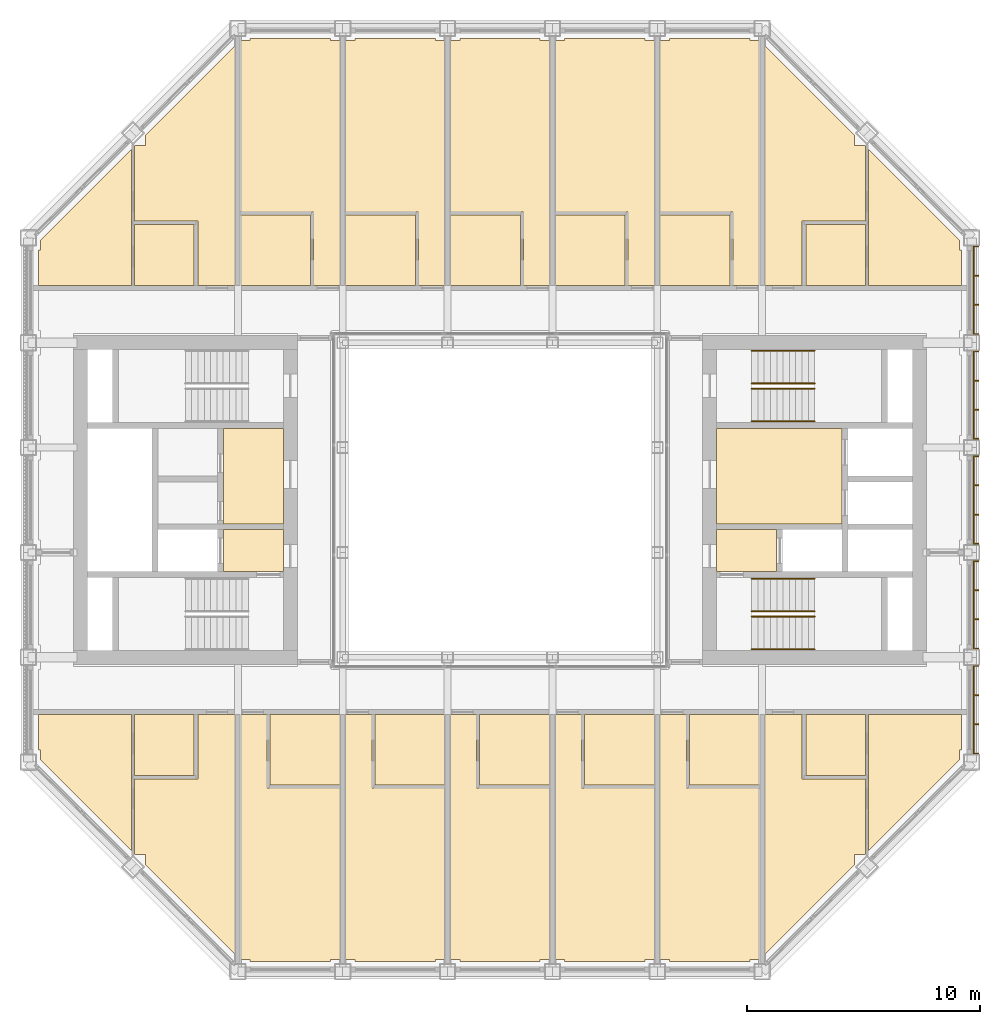
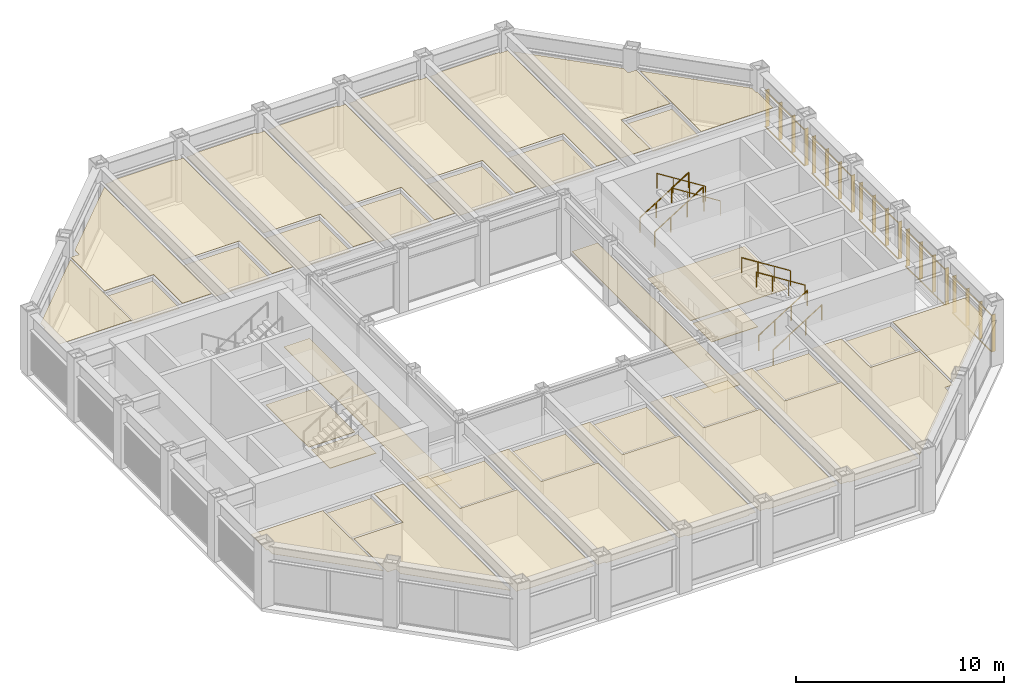
# One storey, part 17 of 18: 8 railings, 3 coverings, 1 shading device.
"""IFC4 building model written with IfcOpenShell, lengths in metres."""

from ifc_helpers import new_model, si_unit, direction, frame, origin, origin_2d, place, context, subcontext, project, spatial, line, indexed_curve, rectangle, circle, outline, extrude, material, layer, layer_set, type_object, element, save


model = new_model("IFC4")

# Units and contexts
model_context = context("Model", 3, precision=1e-05, world=origin(), true_north=direction((0.0, 1.0)))
body_context = subcontext(model_context, "Body", "Model", "MODEL_VIEW")
ifc_project = project(units=[si_unit("LENGTHUNIT", "METRE"), si_unit("AREAUNIT", "SQUARE_METRE"), si_unit("VOLUMEUNIT", "CUBIC_METRE"), si_unit("PLANEANGLEUNIT", "RADIAN"), si_unit("MASSUNIT", "GRAM", prefix="KILO")], contexts=[model_context])

# Site, building, storey
site_placement = place(None, origin())
site = spatial("IfcSite", under=ifc_project, at=site_placement, CompositionType="ELEMENT")
building_placement = place(site_placement, origin())
building = spatial("IfcBuilding", under=site, at=building_placement, Name="Msasa Ring Tower", CompositionType="ELEMENT")
storey_placement = place(building_placement, frame((0.0, 0.0, 200.800048828125)))
storey = spatial("IfcBuildingStorey", under=building, at=storey_placement, Name="L52", CompositionType="ELEMENT", Elevation=200.800048828125)

# Shading device
ifc_material_1 = material(Name="Extruded terracotta on aluminium carriers", Category="masonry")
shading_device_type = type_object("IfcShadingDeviceType", Name="BS2 TERRACOTTA FIN SCREEN 40x200 AT 1350", PredefinedType="USERDEFINED", material=ifc_material_1)
shading_device_placement = place(storey_placement, origin())
element("IfcShadingDevice", 1, at=shading_device_placement, inside=storey, type_object=shading_device_type, Name="Terracotta fin screen E L52", ObjectType="BAGUETTE", PredefinedType="USERDEFINED", context=body_context, shape_type="SweptSolid", body=[
    extrude(rectangle(XDim=0.06005859375, YDim=0.0400390625, at=origin_2d()), frame((20.330078125, -10.89990234375, 0.329833984375), z_axis=(0.0, 1.0, 0.0), x_axis=(0.0, 0.0, 1.0)), (0.0, 0.0, 1.0), 3.800048828125),
    extrude(rectangle(XDim=0.06005859375, YDim=0.0400390625, at=origin_2d()), frame((20.330078125, -10.89990234375, 2.448974609375), z_axis=(0.0, 1.0, 0.0), x_axis=(0.0, 0.0, 1.0)), (0.0, 0.0, 1.0), 3.800048828125),
    extrude(rectangle(XDim=0.0400390625, YDim=0.199951171875, at=origin_2d()), frame((20.445068359375, -10.8798828125, 0.300048828125), z_axis=(0.0, 0.0, 1.0), x_axis=(0.0, 1.0, 0.0)), (0.0, 0.0, 1.0), 2.178955078125),
    extrude(rectangle(XDim=0.0400390625, YDim=0.199951171875, at=origin_2d()), frame((20.445068359375, -9.626708984375, 0.300048828125), z_axis=(0.0, 0.0, 1.0), x_axis=(0.0, 1.0, 0.0)), (0.0, 0.0, 1.0), 2.178955078125),
    extrude(rectangle(XDim=0.0400390625, YDim=0.199951171875, at=origin_2d()), frame((20.445068359375, -8.373291015625, 0.300048828125), z_axis=(0.0, 0.0, 1.0), x_axis=(0.0, 1.0, 0.0)), (0.0, 0.0, 1.0), 2.178955078125),
    extrude(rectangle(XDim=0.0400390625, YDim=0.199951171875, at=origin_2d()), frame((20.445068359375, -7.1201171875, 0.300048828125), z_axis=(0.0, 0.0, 1.0), x_axis=(0.0, 1.0, 0.0)), (0.0, 0.0, 1.0), 2.178955078125),
    extrude(rectangle(XDim=0.06005859375, YDim=0.0400390625, at=origin_2d()), frame((20.330078125, -6.39990234375, 0.329833984375), z_axis=(0.0, 1.0, 0.0), x_axis=(0.0, 0.0, 1.0)), (0.0, 0.0, 1.0), 3.800048828125),
    extrude(rectangle(XDim=0.06005859375, YDim=0.0400390625, at=origin_2d()), frame((20.330078125, -6.39990234375, 2.448974609375), z_axis=(0.0, 1.0, 0.0), x_axis=(0.0, 0.0, 1.0)), (0.0, 0.0, 1.0), 3.800048828125),
    extrude(rectangle(XDim=0.0400390625, YDim=0.199951171875, at=origin_2d()), frame((20.445068359375, -6.3798828125, 0.300048828125), z_axis=(0.0, 0.0, 1.0), x_axis=(0.0, 1.0, 0.0)), (0.0, 0.0, 1.0), 2.178955078125),
    extrude(rectangle(XDim=0.0400390625, YDim=0.199951171875, at=origin_2d()), frame((20.445068359375, -5.126708984375, 0.300048828125), z_axis=(0.0, 0.0, 1.0), x_axis=(0.0, 1.0, 0.0)), (0.0, 0.0, 1.0), 2.178955078125),
    extrude(rectangle(XDim=0.0400390625, YDim=0.199951171875, at=origin_2d()), frame((20.445068359375, -3.873291015625, 0.300048828125), z_axis=(0.0, 0.0, 1.0), x_axis=(0.0, 1.0, 0.0)), (0.0, 0.0, 1.0), 2.178955078125),
    extrude(rectangle(XDim=0.0400390625, YDim=0.199951171875, at=origin_2d()), frame((20.445068359375, -2.6201171875, 0.300048828125), z_axis=(0.0, 0.0, 1.0), x_axis=(0.0, 1.0, 0.0)), (0.0, 0.0, 1.0), 2.178955078125),
    extrude(rectangle(XDim=0.06005859375, YDim=0.0400390625, at=origin_2d()), frame((20.330078125, -1.89990234375, 0.329833984375), z_axis=(0.0, 1.0, 0.0), x_axis=(0.0, 0.0, 1.0)), (0.0, 0.0, 1.0), 3.800048828125),
    extrude(rectangle(XDim=0.06005859375, YDim=0.0400390625, at=origin_2d()), frame((20.330078125, -1.89990234375, 2.448974609375), z_axis=(0.0, 1.0, 0.0), x_axis=(0.0, 0.0, 1.0)), (0.0, 0.0, 1.0), 3.800048828125),
    extrude(rectangle(XDim=0.0400390625, YDim=0.199951171875, at=origin_2d()), frame((20.445068359375, -1.8798828125, 0.300048828125), z_axis=(0.0, 0.0, 1.0), x_axis=(0.0, 1.0, 0.0)), (0.0, 0.0, 1.0), 2.178955078125),
    extrude(rectangle(XDim=0.0400390625, YDim=0.199951171875, at=origin_2d()), frame((20.445068359375, -0.626708984375, 0.300048828125), z_axis=(0.0, 0.0, 1.0), x_axis=(0.0, 1.0, 0.0)), (0.0, 0.0, 1.0), 2.178955078125),
    extrude(rectangle(XDim=0.0400390625, YDim=0.199951171875, at=origin_2d()), frame((20.445068359375, 0.626708984375, 0.300048828125), z_axis=(0.0, 0.0, 1.0), x_axis=(0.0, 1.0, 0.0)), (0.0, 0.0, 1.0), 2.178955078125),
    extrude(rectangle(XDim=0.0400390625, YDim=0.199951171875, at=origin_2d()), frame((20.445068359375, 1.8798828125, 0.300048828125), z_axis=(0.0, 0.0, 1.0), x_axis=(0.0, 1.0, 0.0)), (0.0, 0.0, 1.0), 2.178955078125),
    extrude(rectangle(XDim=0.06005859375, YDim=0.0400390625, at=origin_2d()), frame((20.330078125, 2.60009765625, 0.329833984375), z_axis=(0.0, 1.0, 0.0), x_axis=(0.0, 0.0, 1.0)), (0.0, 0.0, 1.0), 3.800048828125),
    extrude(rectangle(XDim=0.06005859375, YDim=0.0400390625, at=origin_2d()), frame((20.330078125, 2.60009765625, 2.448974609375), z_axis=(0.0, 1.0, 0.0), x_axis=(0.0, 0.0, 1.0)), (0.0, 0.0, 1.0), 3.800048828125),
    extrude(rectangle(XDim=0.0400390625, YDim=0.199951171875, at=origin_2d()), frame((20.445068359375, 2.6201171875, 0.300048828125), z_axis=(0.0, 0.0, 1.0), x_axis=(0.0, 1.0, 0.0)), (0.0, 0.0, 1.0), 2.178955078125),
    extrude(rectangle(XDim=0.0400390625, YDim=0.199951171875, at=origin_2d()), frame((20.445068359375, 3.873291015625, 0.300048828125), z_axis=(0.0, 0.0, 1.0), x_axis=(0.0, 1.0, 0.0)), (0.0, 0.0, 1.0), 2.178955078125),
    extrude(rectangle(XDim=0.0400390625, YDim=0.199951171875, at=origin_2d()), frame((20.445068359375, 5.126708984375, 0.300048828125), z_axis=(0.0, 0.0, 1.0), x_axis=(0.0, 1.0, 0.0)), (0.0, 0.0, 1.0), 2.178955078125),
    extrude(rectangle(XDim=0.0400390625, YDim=0.199951171875, at=origin_2d()), frame((20.445068359375, 6.3798828125, 0.300048828125), z_axis=(0.0, 0.0, 1.0), x_axis=(0.0, 1.0, 0.0)), (0.0, 0.0, 1.0), 2.178955078125),
    extrude(rectangle(XDim=0.06005859375, YDim=0.0400390625, at=origin_2d()), frame((20.330078125, 7.10009765625, 0.329833984375), z_axis=(0.0, 1.0, 0.0), x_axis=(0.0, 0.0, 1.0)), (0.0, 0.0, 1.0), 3.800048828125),
    extrude(rectangle(XDim=0.06005859375, YDim=0.0400390625, at=origin_2d()), frame((20.330078125, 7.10009765625, 2.448974609375), z_axis=(0.0, 1.0, 0.0), x_axis=(0.0, 0.0, 1.0)), (0.0, 0.0, 1.0), 3.800048828125),
    extrude(rectangle(XDim=0.0400390625, YDim=0.199951171875, at=origin_2d()), frame((20.445068359375, 7.1201171875, 0.300048828125), z_axis=(0.0, 0.0, 1.0), x_axis=(0.0, 1.0, 0.0)), (0.0, 0.0, 1.0), 2.178955078125),
    extrude(rectangle(XDim=0.0400390625, YDim=0.199951171875, at=origin_2d()), frame((20.445068359375, 8.373291015625, 0.300048828125), z_axis=(0.0, 0.0, 1.0), x_axis=(0.0, 1.0, 0.0)), (0.0, 0.0, 1.0), 2.178955078125),
    extrude(rectangle(XDim=0.0400390625, YDim=0.199951171875, at=origin_2d()), frame((20.445068359375, 9.626708984375, 0.300048828125), z_axis=(0.0, 0.0, 1.0), x_axis=(0.0, 1.0, 0.0)), (0.0, 0.0, 1.0), 2.178955078125),
    extrude(rectangle(XDim=0.0400390625, YDim=0.199951171875, at=origin_2d()), frame((20.445068359375, 10.8798828125, 0.300048828125), z_axis=(0.0, 0.0, 1.0), x_axis=(0.0, 1.0, 0.0)), (0.0, 0.0, 1.0), 2.178955078125),
])

# Coverings
ifc_material_2 = material(Name="Gypsum plasterboard on a steel suspension grid", Category="steel")
ifc_layer_1 = layer(ifc_material_2, 0.014892578125)
ifc_layer_set_1 = layer_set([ifc_layer_1], Name="C1 SUSPENDED PLASTERBOARD CEILING 15")
covering_type_1 = type_object("IfcCoveringType", Name="C1 SUSPENDED PLASTERBOARD CEILING 15", PredefinedType="CEILING", material=ifc_layer_set_1)
covering_1_placement = place(storey_placement, frame((0.0, 0.0, 2.634033203125)))
element("IfcCovering", 2, at=covering_1_placement, inside=storey, type_object=covering_type_1, Name="Suspended Plasterboard Ceiling 15 L52", PredefinedType="CEILING", context=body_context, shape_type="SweptSolid", body=[
    extrude(outline(indexed_curve([(-15.810546875, -15.052490234375), (-19.724609375, -11.138427734375), (-19.724609375, -10.724609375), (-19.799560546875, -10.724609375), (-19.799560546875, -9.200439453125), (-15.810546875, -9.200439453125)], segments=[line(1, 2, 3, 4, 5, 6, 1)], self_intersect=False)), origin(), (0.0, 0.0, 1.0), 0.014892578125),
    extrude(outline(indexed_curve([(-19.799560546875, 9.200439453125), (-19.799560546875, 10.724609375), (-19.724609375, 10.724609375), (-19.724609375, 11.138427734375), (-15.810546875, 15.052490234375), (-15.810546875, 9.200439453125)], segments=[line(1, 2, 3, 4, 5, 6, 1)], self_intersect=False)), origin(), (0.0, 0.0, 1.0), 0.014892578125),
    extrude(outline(indexed_curve([(-11.3505859375, -9.200439453125), (-11.3505859375, -19.512451171875), (-15.224609375, -15.638427734375), (-15.224609375, -15.224609375), (-15.638427734375, -15.224609375), (-15.689453125, -15.17333984375), (-15.689453125, -11.98046875), (-12.969482421875, -11.98046875), (-12.969482421875, -9.200439453125)], segments=[line(1, 2, 3, 4, 5, 6, 7, 8, 9, 1)], self_intersect=False)), origin(), (0.0, 0.0, 1.0), 0.014892578125),
    extrude(outline(indexed_curve([(-15.638427734375, 15.224609375), (-15.224609375, 15.224609375), (-15.224609375, 15.638427734375), (-11.3505859375, 19.512451171875), (-11.3505859375, 9.200439453125), (-12.969482421875, 9.200439453125), (-12.969482421875, 11.98046875), (-15.689453125, 11.98046875), (-15.689453125, 15.17333984375)], segments=[line(1, 2, 3, 4, 5, 6, 7, 8, 9, 1)], self_intersect=False)), origin(), (0.0, 0.0, 1.0), 0.014892578125),
    extrude(outline(indexed_curve([(-10.724609375, -19.799560546875), (-10.724609375, -19.724609375), (-11.138427734375, -19.724609375), (-11.1494140625, -19.71337890625), (-11.1494140625, -9.200439453125), (-10.00048828125, -9.200439453125), (-10.00048828125, -12.3505859375), (-6.8505859375, -12.3505859375), (-6.8505859375, -19.724609375), (-7.275390625, -19.724609375), (-7.275390625, -19.799560546875)], segments=[line(1, 2, 3, 4, 5, 6, 7, 8, 9, 10, 11, 1)], self_intersect=False)), origin(), (0.0, 0.0, 1.0), 0.014892578125),
    extrude(outline(indexed_curve([(-7.275390625, 19.799560546875), (-7.275390625, 19.724609375), (-6.8505859375, 19.724609375), (-6.8505859375, 9.200439453125), (-7.99951171875, 9.200439453125), (-7.99951171875, 12.3505859375), (-11.1494140625, 12.3505859375), (-11.1494140625, 19.71337890625), (-11.138427734375, 19.724609375), (-10.724609375, 19.724609375), (-10.724609375, 19.799560546875)], segments=[line(1, 2, 3, 4, 5, 6, 7, 8, 9, 10, 11, 1)], self_intersect=False)), origin(), (0.0, 0.0, 1.0), 0.014892578125),
    extrude(outline(indexed_curve([(-6.224609375, -19.799560546875), (-6.224609375, -19.724609375), (-6.6494140625, -19.724609375), (-6.6494140625, -9.200439453125), (-5.50048828125, -9.200439453125), (-5.50048828125, -12.3505859375), (-2.3505859375, -12.3505859375), (-2.3505859375, -19.724609375), (-2.775390625, -19.724609375), (-2.775390625, -19.799560546875)], segments=[line(1, 2, 3, 4, 5, 6, 7, 8, 9, 10, 1)], self_intersect=False)), origin(), (0.0, 0.0, 1.0), 0.014892578125),
    extrude(outline(indexed_curve([(-2.3505859375, 9.200439453125), (-3.49951171875, 9.200439453125), (-3.49951171875, 12.3505859375), (-6.6494140625, 12.3505859375), (-6.6494140625, 19.724609375), (-6.224609375, 19.724609375), (-6.224609375, 19.799560546875), (-2.775390625, 19.799560546875), (-2.775390625, 19.724609375), (-2.3505859375, 19.724609375)], segments=[line(1, 2, 3, 4, 5, 6, 7, 8, 9, 10, 1)], self_intersect=False)), origin(), (0.0, 0.0, 1.0), 0.014892578125),
    extrude(outline(indexed_curve([(-1.724609375, -19.799560546875), (-1.724609375, -19.724609375), (-2.1494140625, -19.724609375), (-2.1494140625, -9.200439453125), (-1.00048828125, -9.200439453125), (-1.00048828125, -12.3505859375), (2.1494140625, -12.3505859375), (2.1494140625, -19.724609375), (1.724609375, -19.724609375), (1.724609375, -19.799560546875)], segments=[line(1, 2, 3, 4, 5, 6, 7, 8, 9, 10, 1)], self_intersect=False)), origin(), (0.0, 0.0, 1.0), 0.014892578125),
    extrude(outline(indexed_curve([(1.724609375, 19.799560546875), (1.724609375, 19.724609375), (2.1494140625, 19.724609375), (2.1494140625, 9.200439453125), (1.00048828125, 9.200439453125), (1.00048828125, 12.3505859375), (-2.1494140625, 12.3505859375), (-2.1494140625, 19.724609375), (-1.724609375, 19.724609375), (-1.724609375, 19.799560546875)], segments=[line(1, 2, 3, 4, 5, 6, 7, 8, 9, 10, 1)], self_intersect=False)), origin(), (0.0, 0.0, 1.0), 0.014892578125),
    extrude(outline(indexed_curve([(2.775390625, -19.799560546875), (2.775390625, -19.724609375), (2.3505859375, -19.724609375), (2.3505859375, -9.200439453125), (3.49951171875, -9.200439453125), (3.49951171875, -12.3505859375), (6.6494140625, -12.3505859375), (6.6494140625, -19.724609375), (6.224609375, -19.724609375), (6.224609375, -19.799560546875)], segments=[line(1, 2, 3, 4, 5, 6, 7, 8, 9, 10, 1)], self_intersect=False)), origin(), (0.0, 0.0, 1.0), 0.014892578125),
    extrude(outline(indexed_curve([(6.6494140625, 9.200439453125), (5.50048828125, 9.200439453125), (5.50048828125, 12.3505859375), (2.3505859375, 12.3505859375), (2.3505859375, 19.724609375), (2.775390625, 19.724609375), (2.775390625, 19.799560546875), (6.224609375, 19.799560546875), (6.224609375, 19.724609375), (6.6494140625, 19.724609375)], segments=[line(1, 2, 3, 4, 5, 6, 7, 8, 9, 10, 1)], self_intersect=False)), origin(), (0.0, 0.0, 1.0), 0.014892578125),
    extrude(outline(indexed_curve([(11.138427734375, -19.724609375), (10.724609375, -19.724609375), (10.724609375, -19.799560546875), (7.275390625, -19.799560546875), (7.275390625, -19.724609375), (6.8505859375, -19.724609375), (6.8505859375, -9.200439453125), (7.99951171875, -9.200439453125), (7.99951171875, -12.3505859375), (11.1494140625, -12.3505859375), (11.1494140625, -19.71337890625)], segments=[line(1, 2, 3, 4, 5, 6, 7, 8, 9, 10, 11, 1)], self_intersect=False)), origin(), (0.0, 0.0, 1.0), 0.014892578125),
    extrude(outline(indexed_curve([(11.1494140625, 19.71337890625), (11.1494140625, 9.200439453125), (10.00048828125, 9.200439453125), (10.00048828125, 12.3505859375), (6.8505859375, 12.3505859375), (6.8505859375, 19.724609375), (7.275390625, 19.724609375), (7.275390625, 19.799560546875), (10.724609375, 19.799560546875), (10.724609375, 19.724609375), (11.138427734375, 19.724609375)], segments=[line(1, 2, 3, 4, 5, 6, 7, 8, 9, 10, 11, 1)], self_intersect=False)), origin(), (0.0, 0.0, 1.0), 0.014892578125),
    extrude(outline(indexed_curve([(15.638427734375, -15.224609375), (15.224609375, -15.224609375), (15.224609375, -15.638427734375), (11.3505859375, -19.512451171875), (11.3505859375, -9.200439453125), (12.969482421875, -9.200439453125), (12.969482421875, -11.98046875), (15.689453125, -11.98046875), (15.689453125, -15.17333984375)], segments=[line(1, 2, 3, 4, 5, 6, 7, 8, 9, 1)], self_intersect=False)), origin(), (0.0, 0.0, 1.0), 0.014892578125),
    extrude(outline(indexed_curve([(11.3505859375, 9.200439453125), (11.3505859375, 19.512451171875), (15.224609375, 15.638427734375), (15.224609375, 15.224609375), (15.638427734375, 15.224609375), (15.689453125, 15.17333984375), (15.689453125, 11.98046875), (12.969482421875, 11.98046875), (12.969482421875, 9.200439453125)], segments=[line(1, 2, 3, 4, 5, 6, 7, 8, 9, 1)], self_intersect=False)), origin(), (0.0, 0.0, 1.0), 0.014892578125),
    extrude(outline(indexed_curve([(19.799560546875, -9.200439453125), (19.799560546875, -10.724609375), (19.724609375, -10.724609375), (19.724609375, -11.138427734375), (15.810546875, -15.052490234375), (15.810546875, -9.200439453125)], segments=[line(1, 2, 3, 4, 5, 6, 1)], self_intersect=False)), origin(), (0.0, 0.0, 1.0), 0.014892578125),
    extrude(outline(indexed_curve([(15.810546875, 15.052490234375), (19.724609375, 11.138427734375), (19.724609375, 10.724609375), (19.799560546875, 10.724609375), (19.799560546875, 9.200439453125), (15.810546875, 9.200439453125)], segments=[line(1, 2, 3, 4, 5, 6, 1)], self_intersect=False)), origin(), (0.0, 0.0, 1.0), 0.014892578125),
])
ifc_material_3 = material(Name="Moisture-resistant gypsum plasterboard on a steel suspension grid", Category="steel")
ifc_layer_2 = layer(ifc_material_3, 0.014892578125)
ifc_layer_set_2 = layer_set([ifc_layer_2], Name="C2 MOISTURE-RESISTANT PLASTERBOARD CEILING 15")
covering_type_2 = type_object("IfcCoveringType", Name="C2 MOISTURE-RESISTANT PLASTERBOARD CEILING 15", PredefinedType="CEILING", material=ifc_layer_set_2)
covering_2_placement = place(storey_placement, frame((0.0, 0.0, 2.39990234375)))
element("IfcCovering", 3, at=covering_2_placement, inside=storey, type_object=covering_type_2, Name="Moisture-Resistant Plasterboard Ceiling 15 L52", PredefinedType="CEILING", context=body_context, shape_type="SweptSolid", body=[
    extrude(outline(indexed_curve([(-15.689453125, -9.200439453125), (-13.130615234375, -9.200439453125), (-13.130615234375, -11.819580078125), (-15.689453125, -11.819580078125)], segments=[line(1, 2, 3, 4, 1)], self_intersect=False)), origin(), (0.0, 0.0, 1.0), 0.01513671875),
    extrude(outline(indexed_curve([(-15.689453125, 11.819580078125), (-13.130615234375, 11.819580078125), (-13.130615234375, 9.200439453125), (-15.689453125, 9.200439453125)], segments=[line(1, 2, 3, 4, 1)], self_intersect=False)), origin(), (0.0, 0.0, 1.0), 0.01513671875),
    extrude(outline(indexed_curve([(-11.1494140625, 12.224609375), (-8.12548828125, 12.224609375), (-8.12548828125, 9.200439453125), (-11.1494140625, 9.200439453125)], segments=[line(1, 2, 3, 4, 1)], self_intersect=False)), origin(), (0.0, 0.0, 1.0), 0.01513671875),
    extrude(outline(indexed_curve([(-6.8505859375, -9.200439453125), (-6.8505859375, -12.224609375), (-9.87451171875, -12.224609375), (-9.87451171875, -9.200439453125)], segments=[line(1, 2, 3, 4, 1)], self_intersect=False)), origin(), (0.0, 0.0, 1.0), 0.01513671875),
    extrude(outline(indexed_curve([(-6.6494140625, 9.200439453125), (-6.6494140625, 12.224609375), (-3.62548828125, 12.224609375), (-3.62548828125, 9.200439453125)], segments=[line(1, 2, 3, 4, 1)], self_intersect=False)), origin(), (0.0, 0.0, 1.0), 0.01513671875),
    extrude(outline(indexed_curve([(-2.3505859375, -9.200439453125), (-2.3505859375, -12.224609375), (-5.37451171875, -12.224609375), (-5.37451171875, -9.200439453125)], segments=[line(1, 2, 3, 4, 1)], self_intersect=False)), origin(), (0.0, 0.0, 1.0), 0.01513671875),
    extrude(outline(indexed_curve([(-2.1494140625, 12.224609375), (0.87451171875, 12.224609375), (0.87451171875, 9.200439453125), (-2.1494140625, 9.200439453125)], segments=[line(1, 2, 3, 4, 1)], self_intersect=False)), origin(), (0.0, 0.0, 1.0), 0.01513671875),
    extrude(outline(indexed_curve([(2.1494140625, -9.200439453125), (2.1494140625, -12.224609375), (-0.87451171875, -12.224609375), (-0.87451171875, -9.200439453125)], segments=[line(1, 2, 3, 4, 1)], self_intersect=False)), origin(), (0.0, 0.0, 1.0), 0.01513671875),
    extrude(outline(indexed_curve([(2.3505859375, 12.224609375), (5.37451171875, 12.224609375), (5.37451171875, 9.200439453125), (2.3505859375, 9.200439453125)], segments=[line(1, 2, 3, 4, 1)], self_intersect=False)), origin(), (0.0, 0.0, 1.0), 0.01513671875),
    extrude(outline(indexed_curve([(6.6494140625, -9.200439453125), (6.6494140625, -12.224609375), (3.62548828125, -12.224609375), (3.62548828125, -9.200439453125)], segments=[line(1, 2, 3, 4, 1)], self_intersect=False)), origin(), (0.0, 0.0, 1.0), 0.01513671875),
    extrude(outline(indexed_curve([(6.8505859375, 9.200439453125), (6.8505859375, 12.224609375), (9.87451171875, 12.224609375), (9.87451171875, 9.200439453125)], segments=[line(1, 2, 3, 4, 1)], self_intersect=False)), origin(), (0.0, 0.0, 1.0), 0.01513671875),
    extrude(outline(indexed_curve([(11.1494140625, -9.200439453125), (11.1494140625, -12.224609375), (8.12548828125, -12.224609375), (8.12548828125, -9.200439453125)], segments=[line(1, 2, 3, 4, 1)], self_intersect=False)), origin(), (0.0, 0.0, 1.0), 0.01513671875),
    extrude(outline(indexed_curve([(13.130615234375, -9.200439453125), (15.689453125, -9.200439453125), (15.689453125, -11.819580078125), (13.130615234375, -11.819580078125)], segments=[line(1, 2, 3, 4, 1)], self_intersect=False)), origin(), (0.0, 0.0, 1.0), 0.01513671875),
    extrude(outline(indexed_curve([(13.130615234375, 11.819580078125), (15.689453125, 11.819580078125), (15.689453125, 9.200439453125), (13.130615234375, 9.200439453125)], segments=[line(1, 2, 3, 4, 1)], self_intersect=False)), origin(), (0.0, 0.0, 1.0), 0.01513671875),
])
ifc_material_4 = material(Name="Honed granite tiles on a mortar bed", Category="masonry")
ifc_layer_3 = layer(ifc_material_4, 0.030029296875)
ifc_layer_set_3 = layer_set([ifc_layer_3], Name="F1 HONED GRANITE ON BEDDING 30")
covering_type_3 = type_object("IfcCoveringType", Name="F1 HONED GRANITE ON BEDDING 30", PredefinedType="FLOORING", material=ifc_layer_set_3)
covering_3_placement = place(storey_placement, origin())
element("IfcCovering", 4, at=covering_3_placement, inside=storey, type_object=covering_type_3, Name="Honed Granite On Bedding 30 L52", PredefinedType="FLOORING", context=body_context, shape_type="SweptSolid", body=[
    extrude(outline(indexed_curve([(-11.87451171875, -3.074462890625), (-11.87451171875, -1.275390625), (-9.300537109375, -1.275390625), (-9.300537109375, -3.074462890625)], segments=[line(1, 2, 3, 4, 1)], self_intersect=False)), origin(), (0.0, 0.0, 1.0), 0.030029296875),
    extrude(outline(indexed_curve([(-11.87451171875, 3.074462890625), (-9.300537109375, 3.074462890625), (-9.300537109375, -1.0244140625), (-11.87451171875, -1.0244140625)], segments=[line(1, 2, 3, 4, 1)], self_intersect=False)), origin(), (0.0, 0.0, 1.0), 0.030029296875),
    extrude(outline(indexed_curve([(-8.699462890625, 6.849609375), (-7.280029296875, 6.849609375), (-7.280029296875, -6.849609375), (-8.699462890625, -6.849609375)], segments=[line(1, 2, 3, 4, 1)], self_intersect=False)), origin(), (0.0, 0.0, 1.0), 0.030029296875),
    extrude(outline(indexed_curve([(7.280029296875, -6.849609375), (7.280029296875, 6.849609375), (8.699462890625, 6.849609375), (8.699462890625, -6.849609375)], segments=[line(1, 2, 3, 4, 1)], self_intersect=False)), origin(), (0.0, 0.0, 1.0), 0.030029296875),
    extrude(outline(indexed_curve([(9.300537109375, -1.275390625), (11.87451171875, -1.275390625), (11.87451171875, -3.074462890625), (9.300537109375, -3.074462890625)], segments=[line(1, 2, 3, 4, 1)], self_intersect=False)), origin(), (0.0, 0.0, 1.0), 0.030029296875),
    extrude(outline(indexed_curve([(9.300537109375, 3.074462890625), (14.674560546875, 3.074462890625), (14.674560546875, -1.0244140625), (9.300537109375, -1.0244140625)], segments=[line(1, 2, 3, 4, 1)], self_intersect=False)), origin(), (0.0, 0.0, 1.0), 0.030029296875),
])

# Railings
ifc_material_5 = material(Name="Stainless steel", Category="steel")
railing_type = type_object("IfcRailingType", Name="HR1 HANDRAIL 900", PredefinedType="HANDRAIL", material=ifc_material_5)
for number, where, name in (
    (5, (10.800048828125, -6.39990234375, 0.17041015625), "Handrail stair SEA L52 1"),
    (6, (10.800048828125, -5.0, 0.17041015625), "Handrail stair SEA L52 2"),
):
    element("IfcRailing", number, at=place(storey_placement, frame(where)), inside=storey, type_object=railing_type, Name=name, PredefinedType="HANDRAIL", context=body_context, shape_type="SweptSolid", body=[
        extrude(circle(Radius=0.02392578125, at=origin_2d()), frame((0.0, 0.0, 0.8759765625), z_axis=(0.845579735284, 0.0, 0.533849146555), x_axis=(0.0, 1.0, 0.0)), (0.0, 0.0, 1.0), 3.193115234375),
        extrude(circle(Radius=0.02099609375, at=origin_2d()), origin(), (0.0, 0.0, 1.0), 0.851806640625),
        extrude(circle(Radius=0.02099609375, at=origin_2d()), frame((0.89990234375, 0.0, 0.568115234375)), (0.0, 0.0, 1.0), 0.851806640625),
        extrude(circle(Radius=0.02099609375, at=origin_2d()), frame((1.800048828125, 0.0, 1.136474609375)), (0.0, 0.0, 1.0), 0.851806640625),
        extrude(circle(Radius=0.02099609375, at=origin_2d()), frame((2.699951171875, 0.0, 1.70458984375)), (0.0, 0.0, 1.0), 0.851806640625),
    ])
for number, where, name in (
    (7, (13.5, -4.77490234375, 2.04541015625), "Handrail stair SEA L52 3"),
    (8, (13.5, -3.375, 2.04541015625), "Handrail stair SEA L52 4"),
):
    element("IfcRailing", number, at=place(storey_placement, frame(where)), inside=storey, type_object=railing_type, Name=name, PredefinedType="HANDRAIL", context=body_context, shape_type="SweptSolid", body=[
        extrude(circle(Radius=0.02392578125, at=origin_2d()), frame((0.0, 0.0, 0.8759765625), z_axis=(-0.845579735284, 0.0, 0.533849146555), x_axis=(0.0, -1.0, 0.0)), (0.0, 0.0, 1.0), 3.193115234375),
        extrude(circle(Radius=0.02099609375, at=origin_2d()), origin(), (0.0, 0.0, 1.0), 0.851806640625),
        extrude(circle(Radius=0.02099609375, at=origin_2d()), frame((-0.89990234375, 0.0, 0.568115234375)), (0.0, 0.0, 1.0), 0.851806640625),
        extrude(circle(Radius=0.02099609375, at=origin_2d()), frame((-1.800048828125, 0.0, 1.136474609375)), (0.0, 0.0, 1.0), 0.851806640625),
        extrude(circle(Radius=0.02099609375, at=origin_2d()), frame((-2.699951171875, 0.0, 1.70458984375)), (0.0, 0.0, 1.0), 0.851806640625),
    ])
for number, where, name in (
    (9, (10.800048828125, 5.0, 0.17041015625), "Handrail stair SEB L52 1"),
    (10, (10.800048828125, 6.39990234375, 0.17041015625), "Handrail stair SEB L52 2"),
):
    element("IfcRailing", number, at=place(storey_placement, frame(where)), inside=storey, type_object=railing_type, Name=name, PredefinedType="HANDRAIL", context=body_context, shape_type="SweptSolid", body=[
        extrude(circle(Radius=0.02392578125, at=origin_2d()), frame((0.0, 0.0, 0.8759765625), z_axis=(0.845579735284, 0.0, 0.533849146555), x_axis=(0.0, 1.0, 0.0)), (0.0, 0.0, 1.0), 3.193115234375),
        extrude(circle(Radius=0.02099609375, at=origin_2d()), origin(), (0.0, 0.0, 1.0), 0.851806640625),
        extrude(circle(Radius=0.02099609375, at=origin_2d()), frame((0.89990234375, 0.0, 0.568115234375)), (0.0, 0.0, 1.0), 0.851806640625),
        extrude(circle(Radius=0.02099609375, at=origin_2d()), frame((1.800048828125, 0.0, 1.136474609375)), (0.0, 0.0, 1.0), 0.851806640625),
        extrude(circle(Radius=0.02099609375, at=origin_2d()), frame((2.699951171875, 0.0, 1.70458984375)), (0.0, 0.0, 1.0), 0.851806640625),
    ])
for number, where, name in (
    (11, (13.5, 3.375, 2.04541015625), "Handrail stair SEB L52 3"),
    (12, (13.5, 4.77490234375, 2.04541015625), "Handrail stair SEB L52 4"),
):
    element("IfcRailing", number, at=place(storey_placement, frame(where)), inside=storey, type_object=railing_type, Name=name, PredefinedType="HANDRAIL", context=body_context, shape_type="SweptSolid", body=[
        extrude(circle(Radius=0.02392578125, at=origin_2d()), frame((0.0, 0.0, 0.8759765625), z_axis=(-0.845579735284, 0.0, 0.533849146555), x_axis=(0.0, -1.0, 0.0)), (0.0, 0.0, 1.0), 3.193115234375),
        extrude(circle(Radius=0.02099609375, at=origin_2d()), origin(), (0.0, 0.0, 1.0), 0.851806640625),
        extrude(circle(Radius=0.02099609375, at=origin_2d()), frame((-0.89990234375, 0.0, 0.568115234375)), (0.0, 0.0, 1.0), 0.851806640625),
        extrude(circle(Radius=0.02099609375, at=origin_2d()), frame((-1.800048828125, 0.0, 1.136474609375)), (0.0, 0.0, 1.0), 0.851806640625),
        extrude(circle(Radius=0.02099609375, at=origin_2d()), frame((-2.699951171875, 0.0, 1.70458984375)), (0.0, 0.0, 1.0), 0.851806640625),
    ])

save(model, "model.ifc")
